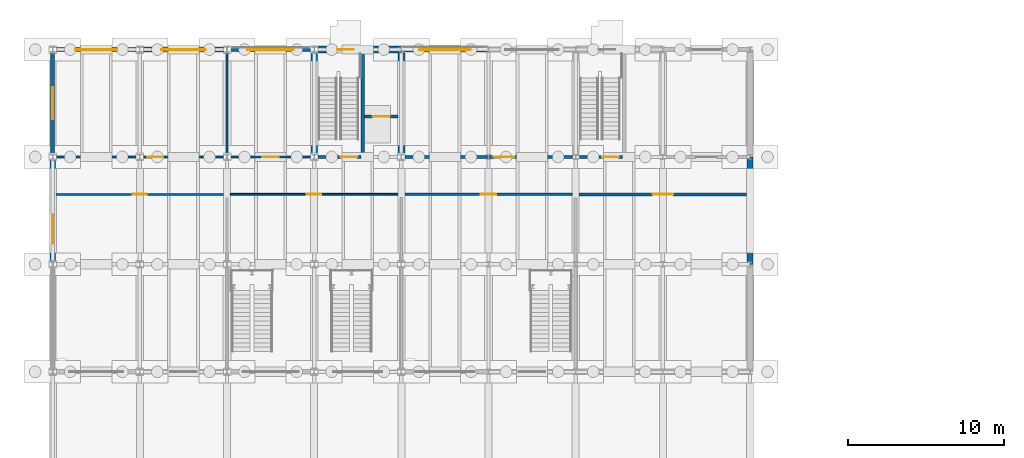
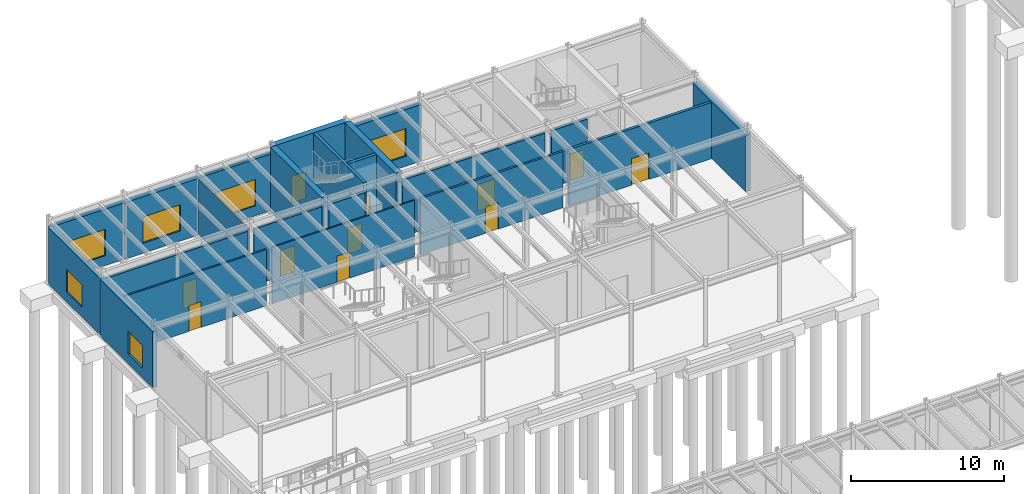
# One storey, part 71 of 82: 22 walls, 11 doors, 6 windows, 17 openings.
"""IFC4 building model written with IfcOpenShell, lengths in metres."""

import ifcopenshell
import ifcopenshell.guid

model = None  # the IFC model being written
_history = None  # IfcOwnerHistory: only IFC2X3 demands one
_inside = {}  # id of a spatial element -> (the spatial element, [elements in it])
_under = {}  # id of a project, library or spatial element -> (it, [spatial elements below it])
_declared = {}  # id of a project -> (the project, [libraries it declares])
_typed = {}  # id of a type object -> (the type object, [elements of that type])
_made_of = {}  # id of a material, layer set ... -> (it, [elements and type objects made of it])


def new_model(schema):
    """Start an empty IFC model of exactly this schema.

    Asked for "IFC4X3", IfcOpenShell would pick the latest addendum, in which some entities
    have other attributes; the version numbers below select the first issue.
    IFC2X3 requires an IfcOwnerHistory on every rooted entity: one is made here for all.
    """
    global model, _history
    if schema == "IFC4X3":
        model = ifcopenshell.file(schema_version=(4, 3, 0, 0))
    else:
        model = ifcopenshell.file(schema=schema)
    _inside.clear()
    _under.clear()
    _declared.clear()
    _typed.clear()
    _made_of.clear()
    _history = None
    if model.schema == "IFC2X3":
        org = make("IfcOrganization", Name="unknown")
        user = make(
            "IfcPersonAndOrganization",
            ThePerson=make("IfcPerson", FamilyName="unknown"),
            TheOrganization=org,
        )
        app = make(
            "IfcApplication",
            ApplicationDeveloper=org,
            Version="unknown",
            ApplicationFullName="unknown",
            ApplicationIdentifier="unknown",
        )
        _history = make(
            "IfcOwnerHistory",
            OwningUser=user,
            OwningApplication=app,
            ChangeAction="ADDED",
            CreationDate=0,
        )
    return model


def make(cls, **values):
    """One entity of the class cls with the attributes given. An attribute that is None is left unset."""
    return model.create_entity(
        cls, **{name: value for name, value in values.items() if value is not None}
    )


def rooted(cls, **values):
    """An entity with a GlobalId (a new one), such as an element, a storey or a relation."""
    return make(cls, GlobalId=ifcopenshell.guid.new(), OwnerHistory=_history, **values)


def si_unit(unit_type, name, prefix=None):
    """IfcSIUnit, for example si_unit("LENGTHUNIT", "METRE", prefix="MILLI")."""
    return make("IfcSIUnit", UnitType=unit_type, Prefix=prefix, Name=name)


def assignment(units):
    """IfcUnitAssignment: the units of a project."""
    return None if units is None else make("IfcUnitAssignment", Units=units)


def point(xyz):
    """IfcCartesianPoint."""
    return None if xyz is None else make("IfcCartesianPoint", Coordinates=xyz)


def direction(xyz):
    """IfcDirection."""
    return None if xyz is None else make("IfcDirection", DirectionRatios=xyz)


def frame(location, z_axis=None, x_axis=None):
    """IfcAxis2Placement3D, a coordinate frame: its origin and axes. An axis left out is left unset."""
    return make(
        "IfcAxis2Placement3D",
        Location=point(location),
        Axis=direction(z_axis),
        RefDirection=direction(x_axis),
    )


def frame_2d(location, x_axis=None):
    """IfcAxis2Placement2D, a coordinate frame in the plane: its origin and x axis."""
    return make(
        "IfcAxis2Placement2D", Location=point(location), RefDirection=direction(x_axis)
    )


def origin():
    """The frame at (0, 0, 0) with its axes left unset."""
    return frame((0.0, 0.0, 0.0))


def place(relative_to, where):
    """IfcLocalPlacement: puts the frame where relative to a parent placement (None: the world)."""
    return make(
        "IfcLocalPlacement", PlacementRelTo=relative_to, RelativePlacement=where
    )


def context(
    kind, dimensions, precision=None, world=None, true_north=None, identifier=None
):
    """IfcGeometricRepresentationContext, for example the 3D "Model" context."""
    return make(
        "IfcGeometricRepresentationContext",
        ContextIdentifier=identifier,
        ContextType=kind,
        CoordinateSpaceDimension=dimensions,
        Precision=precision,
        WorldCoordinateSystem=world,
        TrueNorth=true_north,
    )


def subcontext(parent, identifier, kind, view, scale=None):
    """IfcGeometricRepresentationSubContext, for example "Body" below "Model"."""
    return make(
        "IfcGeometricRepresentationSubContext",
        ContextIdentifier=identifier,
        ContextType=kind,
        ParentContext=parent,
        TargetScale=scale,
        TargetView=view,
    )


def project(units=None, contexts=None):
    """IfcProject with its units and contexts."""
    return rooted(
        "IfcProject",
        Name="project",
        RepresentationContexts=contexts,
        UnitsInContext=assignment(units),
    )


def spatial(cls, under=None, at=None, **own):
    """A site, building, storey or space (cls), placed at a placement, below another one or the project."""
    s = rooted(cls, ObjectPlacement=at, **own)
    if under is not None:
        _under.setdefault(under.id(), (under, []))[1].append(s)
    return s


def profile(cls, at=None, kind="AREA", **sizes):
    """A parametric profile (cls). Its sizes go by their IFC names, for example OverallWidth=200.0."""
    return make(cls, ProfileType=kind, Position=at, **sizes)


def rectangle(**sizes):
    """IfcRectangleProfileDef."""
    return profile("IfcRectangleProfileDef", **sizes)


def extrude(swept, where, along, depth):
    """IfcExtrudedAreaSolid: the profile swept, set in the frame where, extruded along a direction by depth."""
    return make(
        "IfcExtrudedAreaSolid",
        SweptArea=swept,
        Position=where,
        ExtrudedDirection=direction(along),
        Depth=depth,
    )


def shape(context_of_items, identifier, shape_type, items):
    """IfcShapeRepresentation: the items that make up one representation, for example the "Body"."""
    return make(
        "IfcShapeRepresentation",
        ContextOfItems=context_of_items,
        RepresentationIdentifier=identifier,
        RepresentationType=shape_type,
        Items=items,
    )


def material(Name=None, Category=None):
    """IfcMaterial."""
    return make("IfcMaterial", Name=Name, Category=Category)


def layer(
    of_material, thickness, ventilated=None, Name=None, Category=None, Priority=None
):
    """IfcMaterialLayer: one layer of a wall or slab, of a material (None: an air gap)."""
    return make(
        "IfcMaterialLayer",
        Material=of_material,
        LayerThickness=thickness,
        IsVentilated=ventilated,
        Name=Name,
        Category=Category,
        Priority=Priority,
    )


def layer_set(layers, Name=None):
    """IfcMaterialLayerSet."""
    return make("IfcMaterialLayerSet", MaterialLayers=layers, LayerSetName=Name)


def made_of(thing, what):
    """Note that an element or type object is made of a material, layer set ...; save() writes the relation."""
    if what is not None:
        _made_of.setdefault(what.id(), (what, []))[1].append(thing)
    return thing


def type_object(cls, material=None, **own):
    """A type object (cls), such as IfcWallType, which elements share."""
    return made_of(rooted(cls, **own), material)


def element(
    cls,
    number,
    at=None,
    inside=None,
    cuts=None,
    type_object=None,
    material=None,
    context=None,
    identifier="Body",
    shape_type=None,
    held_by="IfcProductDefinitionShape",
    body=None,
    shapes=None,
    **own,
):
    """One element of the class cls, such as IfcWall. Its Tag is "e" and its number.

    at: its placement. inside: the storey or other place that contains it. cuts: it is an
    opening in that element (IfcRelVoidsElement). A single representation is given by context,
    identifier, shape_type and body (its items); several are given by shapes. held_by: the class
    of the entity that holds the representations. save() writes the other relations.
    """
    e = rooted(cls, Tag="e%d" % number, ObjectPlacement=at, **own)
    if body is not None:
        shapes = [shape(context, identifier, shape_type, body)]
    if shapes is not None:
        e.Representation = make(held_by, Representations=shapes)
    if inside is not None:
        _inside.setdefault(inside.id(), (inside, []))[1].append(e)
    if cuts is not None:
        rooted(
            "IfcRelVoidsElement", RelatingBuildingElement=cuts, RelatedOpeningElement=e
        )
    if type_object is not None:
        _typed.setdefault(type_object.id(), (type_object, []))[1].append(e)
    return made_of(e, material)


def fill(opening, filler):
    """IfcRelFillsElement: the door or window that sits in an opening."""
    return rooted(
        "IfcRelFillsElement",
        RelatingOpeningElement=opening,
        RelatedBuildingElement=filler,
    )


def aggregate(whole, parts):
    """IfcRelAggregates: a whole, such as a stair, and the parts it consists of."""
    return rooted("IfcRelAggregates", RelatingObject=whole, RelatedObjects=parts)


def save(model, path):
    """Write the relations noted so far, then the file.

    IfcRelAggregates (storeys below a building ...), IfcRelContainedInSpatialStructure (elements
    in a storey), IfcRelDefinesByType, IfcRelAssociatesMaterial and IfcRelDeclares: one each for
    every whole, place, type object, material and project.
    """
    for whole, parts in _under.values():
        aggregate(whole, parts)
    for where, things in _inside.values():
        rooted(
            "IfcRelContainedInSpatialStructure",
            RelatedElements=things,
            RelatingStructure=where,
        )
    for kind, things in _typed.values():
        rooted("IfcRelDefinesByType", RelatedObjects=things, RelatingType=kind)
    for what, things in _made_of.values():
        rooted("IfcRelAssociatesMaterial", RelatedObjects=things, RelatingMaterial=what)
    for by, libraries in _declared.values():
        rooted("IfcRelDeclares", RelatingContext=by, RelatedDefinitions=libraries)
    model.write(path)


model = new_model("IFC4")

# Units and contexts
model_context = context("Model", 3, precision=1e-05, world=origin(), true_north=direction((0.0, 1.0)))
body_context = subcontext(model_context, "Body", "Model", "MODEL_VIEW")
ifc_project = project(units=[si_unit("LENGTHUNIT", "METRE"), si_unit("AREAUNIT", "SQUARE_METRE"), si_unit("VOLUMEUNIT", "CUBIC_METRE"), si_unit("PLANEANGLEUNIT", "RADIAN"), si_unit("MASSUNIT", "GRAM", prefix="KILO")], contexts=[model_context])

# Site, building, storey
site_placement = place(None, origin())
site = spatial("IfcSite", under=ifc_project, at=site_placement, CompositionType="ELEMENT")
building_placement = place(site_placement, origin())
building = spatial("IfcBuilding", under=site, at=building_placement, Name="Trelmorton Wharf Fire Station", CompositionType="ELEMENT")
storey_placement = place(building_placement, origin())
storey = spatial("IfcBuildingStorey", under=building, at=storey_placement, Name="L00", CompositionType="ELEMENT", Elevation=0.0)

# Wall, opening, window
ifc_material_1 = material(Name="Precast concrete 45 MPa", Category="concrete")
ifc_layer_1 = layer(ifc_material_1, 0.22998046875)
ifc_layer_set_1 = layer_set([ifc_layer_1], Name="Precast concrete 45 MPa")
wall_type_1 = type_object("IfcWallType", Name="EW_PREC_230", PredefinedType="SOLIDWALL", material=ifc_layer_set_1)
wall_1_placement = place(storey_placement, frame((12.0048828125, 81.0, 0.0), z_axis=(0.0, 0.0, 1.0), x_axis=(1.0, 0.0, 0.0)))
wall_1 = element("IfcWall", 1, at=wall_1_placement, inside=storey, type_object=wall_type_1, Name="EW-V6-L00-0126", PredefinedType="SOLIDWALL", context=body_context, shape_type="SweptSolid", body=[
    extrude(rectangle(XDim=5.590087890625, YDim=0.22998046875, at=frame_2d((2.794921875, 0.0))), origin(), (0.0, 0.0, 1.0), 4.52001953125),
])
opening_1_placement = place(wall_1_placement, frame((1.294921875, 0.0, 0.800048828125)))
opening_1 = element("IfcOpeningElement", 2, at=opening_1_placement, cuts=wall_1, Name="Opening W05", PredefinedType="OPENING", context=body_context, shape_type="SweptSolid", body=[
    extrude(rectangle(XDim=3.0, YDim=2.10009765625, at=frame_2d((1.5, 1.050048828125))), frame((0.0, 0.125, 0.0), z_axis=(0.0, -1.0, 0.0), x_axis=(1.0, 0.0, 0.0)), (0.0, 0.0, 1.0), 0.25),
])
ifc_material_2 = material(Name="Tempered low-E double glazing", Category="glass")
window_type_1 = type_object("IfcWindowType", Name="WIN_W05", PartitioningType="TRIPLE_PANEL_VERTICAL", PredefinedType="WINDOW", material=ifc_material_2)
window_1_placement = place(opening_1_placement, origin())
window_1 = element("IfcWindow", 3, at=window_1_placement, inside=storey, type_object=window_type_1, Name="WN-V6-L00-0067", OverallHeight=2.10009765625, OverallWidth=3.0, PartitioningType="TRIPLE_PANEL_VERTICAL", PredefinedType="WINDOW", context=body_context, shape_type="SweptSolid", body=[
    extrude(rectangle(XDim=3.0, YDim=2.10009765625, at=frame_2d((1.5, 1.050048828125))), frame((0.0, 0.030029296875, 0.0), z_axis=(0.0, -1.0, 0.0), x_axis=(1.0, 0.0, 0.0)), (0.0, 0.0, 1.0), 0.06005859375),
])
fill(opening_1, window_1)

ifc_layer_2 = layer(ifc_material_1, 0.25)
ifc_layer_set_2 = layer_set([ifc_layer_2], Name="Precast concrete 45 MPa")
wall_type_2 = type_object("IfcWallType", Name="EW_PREC_250", PredefinedType="SOLIDWALL", material=ifc_layer_set_2)
wall_2_placement = place(storey_placement, frame((0.800048828125, 74.10498046875, 0.0), z_axis=(0.0, 0.0, 1.0), x_axis=(0.0, 1.0, 0.0)))
wall_2 = element("IfcWall", 4, at=wall_2_placement, inside=storey, type_object=wall_type_2, Name="EW-V6-L00-0139", PredefinedType="SOLIDWALL", context=body_context, shape_type="SweptSolid", body=[
    extrude(rectangle(XDim=6.89013671875, YDim=0.25, at=frame_2d((3.445068359375, 0.0))), origin(), (0.0, 0.0, 1.0), 4.52001953125),
])
opening_2_placement = place(wall_2_placement, frame((2.419921875, 0.0, 0.800048828125)))
opening_2 = element("IfcOpeningElement", 5, at=opening_2_placement, cuts=wall_2, Name="Opening W11", PredefinedType="OPENING", context=body_context, shape_type="SweptSolid", body=[
    extrude(rectangle(XDim=2.050048828125, YDim=1.800048828125, at=frame_2d((1.02490234375, 0.89990234375))), frame((0.0, 0.135009765625, 0.0), z_axis=(0.0, -1.0, 0.0), x_axis=(1.0, 0.0, 0.0)), (0.0, 0.0, 1.0), 0.27001953125),
])
window_type_2 = type_object("IfcWindowType", Name="WIN_W11", PartitioningType="DOUBLE_PANEL_VERTICAL", PredefinedType="WINDOW", material=ifc_material_2)
window_2_placement = place(opening_2_placement, origin())
window_2 = element("IfcWindow", 6, at=window_2_placement, inside=storey, type_object=window_type_2, Name="WN-V6-L00-0073", OverallHeight=1.800048828125, OverallWidth=2.050048828125, PartitioningType="DOUBLE_PANEL_VERTICAL", PredefinedType="WINDOW", context=body_context, shape_type="SweptSolid", body=[
    extrude(rectangle(XDim=2.050048828125, YDim=1.800048828125, at=frame_2d((1.02490234375, 0.89990234375))), frame((0.0, 0.030029296875, 0.0), z_axis=(0.0, -1.0, 0.0), x_axis=(1.0, 0.0, 0.0)), (0.0, 0.0, 1.0), 0.06005859375),
])
fill(opening_2, window_2)

ifc_layer_3 = layer(ifc_material_1, 0.27001953125)
ifc_layer_set_3 = layer_set([ifc_layer_3], Name="Precast concrete 45 MPa")
wall_type_3 = type_object("IfcWallType", Name="EW_PREC_270", PredefinedType="SOLIDWALL", material=ifc_layer_set_3)
wall_3_placement = place(storey_placement, frame((0.804931640625, 81.0, 0.0), z_axis=(0.0, 0.0, 1.0), x_axis=(1.0, 0.0, 0.0)))
wall_3 = element("IfcWall", 7, at=wall_3_placement, inside=storey, type_object=wall_type_3, Name="EW-V6-L00-0122", PredefinedType="SOLIDWALL", context=body_context, shape_type="SweptSolid", body=[
    extrude(rectangle(XDim=5.590087890625, YDim=0.27001953125, at=frame_2d((2.794921875, 0.0))), origin(), (0.0, 0.0, 1.0), 4.52001953125),
])
opening_3_placement = place(wall_3_placement, frame((1.445068359375, 0.0, 0.800048828125)))
opening_3 = element("IfcOpeningElement", 8, at=opening_3_placement, cuts=wall_3, Name="Opening W03", PredefinedType="OPENING", context=body_context, shape_type="SweptSolid", body=[
    extrude(rectangle(XDim=2.699951171875, YDim=2.10009765625, at=frame_2d((1.35009765625, 1.050048828125))), frame((0.0, 0.14501953125, 0.0), z_axis=(0.0, -1.0, 0.0), x_axis=(1.0, 0.0, 0.0)), (0.0, 0.0, 1.0), 0.2900390625),
])
window_type_3 = type_object("IfcWindowType", Name="WIN_W03", PartitioningType="TRIPLE_PANEL_VERTICAL", PredefinedType="WINDOW", material=ifc_material_2)
window_3_placement = place(opening_3_placement, origin())
window_3 = element("IfcWindow", 9, at=window_3_placement, inside=storey, type_object=window_type_3, Name="WN-V6-L00-0065", OverallHeight=2.10009765625, OverallWidth=2.699951171875, PartitioningType="TRIPLE_PANEL_VERTICAL", PredefinedType="WINDOW", context=body_context, shape_type="SweptSolid", body=[
    extrude(rectangle(XDim=2.699951171875, YDim=2.10009765625, at=frame_2d((1.35009765625, 1.050048828125))), frame((0.0, 0.030029296875, 0.0), z_axis=(0.0, -1.0, 0.0), x_axis=(1.0, 0.0, 0.0)), (0.0, 0.0, 1.0), 0.06005859375),
])
fill(opening_3, window_3)

# Wall
ifc_material_3 = material(Name="Clay brickwork masonry", Category="masonry")
ifc_layer_4 = layer(ifc_material_3, 0.3798828125)
ifc_layer_set_4 = layer_set([ifc_layer_4], Name="Clay brickwork masonry")
wall_type_4 = type_object("IfcWallType", Name="EW_SMOK_380", PredefinedType="SOLIDWALL", material=ifc_layer_set_4)
wall_4_placement = place(storey_placement, frame((45.60009765625, 74.094970703125, 0.0), z_axis=(0.0, 0.0, 1.0), x_axis=(0.0, -1.0, 0.0)))
element("IfcWall", 10, at=wall_4_placement, inside=storey, type_object=wall_type_4, Name="EW-V6-L00-0138", PredefinedType="SOLIDWALL", context=body_context, shape_type="SweptSolid", body=[
    extrude(rectangle(XDim=6.889892578125, YDim=0.3798828125, at=frame_2d((3.44482421875, 0.0))), origin(), (0.0, 0.0, 1.0), 4.52001953125),
])

# Wall, opening, window
ifc_layer_5 = layer(ifc_material_1, 0.2900390625)
ifc_layer_set_5 = layer_set([ifc_layer_5], Name="Precast concrete 45 MPa")
wall_type_5 = type_object("IfcWallType", Name="EW_TERR_290", PredefinedType="SOLIDWALL", material=ifc_layer_set_5)
wall_5_placement = place(storey_placement, frame((23.205078125, 81.0, 0.0), z_axis=(0.0, 0.0, 1.0), x_axis=(1.0, 0.0, 0.0)))
wall_5 = element("IfcWall", 11, at=wall_5_placement, inside=storey, type_object=wall_type_5, Name="EW-V6-L00-0129", PredefinedType="SOLIDWALL", context=body_context, shape_type="SweptSolid", body=[
    extrude(rectangle(XDim=5.58984375, YDim=0.2900390625, at=frame_2d((2.794921875, 0.0))), origin(), (0.0, 0.0, 1.0), 4.52001953125),
])
opening_4_placement = place(wall_5_placement, frame((1.14501953125, 0.0, 0.800048828125)))
opening_4 = element("IfcOpeningElement", 12, at=opening_4_placement, cuts=wall_5, Name="Opening W07", PredefinedType="OPENING", context=body_context, shape_type="SweptSolid", body=[
    extrude(rectangle(XDim=3.300048828125, YDim=2.199951171875, at=frame_2d((1.64990234375, 1.10009765625))), frame((0.0, 0.155029296875, 0.0), z_axis=(0.0, -1.0, 0.0), x_axis=(1.0, 0.0, 0.0)), (0.0, 0.0, 1.0), 0.31005859375),
])
window_type_4 = type_object("IfcWindowType", Name="WIN_W07", PartitioningType="TRIPLE_PANEL_VERTICAL", PredefinedType="WINDOW", material=ifc_material_2)
window_4_placement = place(opening_4_placement, origin())
window_4 = element("IfcWindow", 13, at=window_4_placement, inside=storey, type_object=window_type_4, Name="WN-V6-L00-0069", OverallHeight=2.199951171875, OverallWidth=3.300048828125, PartitioningType="TRIPLE_PANEL_VERTICAL", PredefinedType="WINDOW", context=body_context, shape_type="SweptSolid", body=[
    extrude(rectangle(XDim=3.300048828125, YDim=2.199951171875, at=frame_2d((1.64990234375, 1.10009765625))), frame((0.0, 0.030029296875, 0.0), z_axis=(0.0, -1.0, 0.0), x_axis=(1.0, 0.0, 0.0)), (0.0, 0.0, 1.0), 0.06005859375),
])
fill(opening_4, window_4)

ifc_layer_6 = layer(ifc_material_1, 0.31005859375)
ifc_layer_set_6 = layer_set([ifc_layer_6], Name="Precast concrete 45 MPa")
wall_type_6 = type_object("IfcWallType", Name="EW_TERR_310", PredefinedType="SOLIDWALL", material=ifc_layer_set_6)
wall_6_placement = place(storey_placement, frame((6.405029296875, 81.0, 0.0), z_axis=(0.0, 0.0, 1.0), x_axis=(1.0, 0.0, 0.0)))
wall_6 = element("IfcWall", 14, at=wall_6_placement, inside=storey, type_object=wall_type_6, Name="EW-V6-L00-0124", PredefinedType="SOLIDWALL", context=body_context, shape_type="SweptSolid", body=[
    extrude(rectangle(XDim=5.590087890625, YDim=0.31005859375, at=frame_2d((2.794921875, 0.0))), origin(), (0.0, 0.0, 1.0), 4.52001953125),
])
opening_5_placement = place(wall_6_placement, frame((1.3701171875, 0.0, 0.800048828125)))
opening_5 = element("IfcOpeningElement", 15, at=opening_5_placement, cuts=wall_6, Name="Opening W04", PredefinedType="OPENING", context=body_context, shape_type="SweptSolid", body=[
    extrude(rectangle(XDim=2.85009765625, YDim=2.10009765625, at=frame_2d((1.425048828125, 1.050048828125))), frame((0.0, 0.1650390625, 0.0), z_axis=(0.0, -1.0, 0.0), x_axis=(1.0, 0.0, 0.0)), (0.0, 0.0, 1.0), 0.330078125),
])
window_type_5 = type_object("IfcWindowType", Name="WIN_W04", PartitioningType="TRIPLE_PANEL_VERTICAL", PredefinedType="WINDOW", material=ifc_material_2)
window_5_placement = place(opening_5_placement, origin())
window_5 = element("IfcWindow", 16, at=window_5_placement, inside=storey, type_object=window_type_5, Name="WN-V6-L00-0066", OverallHeight=2.10009765625, OverallWidth=2.85009765625, PartitioningType="TRIPLE_PANEL_VERTICAL", PredefinedType="WINDOW", context=body_context, shape_type="SweptSolid", body=[
    extrude(rectangle(XDim=2.85009765625, YDim=2.10009765625, at=frame_2d((1.425048828125, 1.050048828125))), frame((0.0, 0.030029296875, 0.0), z_axis=(0.0, -1.0, 0.0), x_axis=(1.0, 0.0, 0.0)), (0.0, 0.0, 1.0), 0.06005859375),
])
fill(opening_5, window_5)

ifc_layer_7 = layer(ifc_material_1, 0.330078125)
ifc_layer_set_7 = layer_set([ifc_layer_7], Name="Precast concrete 45 MPa")
wall_type_7 = type_object("IfcWallType", Name="EW_TERR_330", PredefinedType="SOLIDWALL", material=ifc_layer_set_7)
wall_7_placement = place(storey_placement, frame((0.800048828125, 67.205078125, 0.0), z_axis=(0.0, 0.0, 1.0), x_axis=(0.0, 1.0, 0.0)))
wall_7 = element("IfcWall", 17, at=wall_7_placement, inside=storey, type_object=wall_type_7, Name="EW-V6-L00-0137", PredefinedType="SOLIDWALL", context=body_context, shape_type="SweptSolid", body=[
    extrude(rectangle(XDim=6.889892578125, YDim=0.330078125, at=frame_2d((3.44482421875, 0.0))), origin(), (0.0, 0.0, 1.0), 4.52001953125),
])
opening_6_placement = place(wall_7_placement, frame((1.3125, 0.0, 0.800048828125)))
opening_6 = element("IfcOpeningElement", 18, at=opening_6_placement, cuts=wall_7, Name="Opening W10", PredefinedType="OPENING", context=body_context, shape_type="SweptSolid", body=[
    extrude(rectangle(XDim=1.89990234375, YDim=1.800048828125, at=frame_2d((0.949951171875, 0.89990234375))), frame((0.0, 0.175048828125, 0.0), z_axis=(0.0, -1.0, 0.0), x_axis=(1.0, 0.0, 0.0)), (0.0, 0.0, 1.0), 0.35009765625),
])
window_type_6 = type_object("IfcWindowType", Name="WIN_W10", PartitioningType="DOUBLE_PANEL_VERTICAL", PredefinedType="WINDOW", material=ifc_material_2)
window_6_placement = place(opening_6_placement, origin())
window_6 = element("IfcWindow", 19, at=window_6_placement, inside=storey, type_object=window_type_6, Name="WN-V6-L00-0072", OverallHeight=1.800048828125, OverallWidth=1.89990234375, PartitioningType="DOUBLE_PANEL_VERTICAL", PredefinedType="WINDOW", context=body_context, shape_type="SweptSolid", body=[
    extrude(rectangle(XDim=1.89990234375, YDim=1.800048828125, at=frame_2d((0.949951171875, 0.89990234375))), frame((0.0, 0.030029296875, 0.0), z_axis=(0.0, -1.0, 0.0), x_axis=(1.0, 0.0, 0.0)), (0.0, 0.0, 1.0), 0.06005859375),
])
fill(opening_6, window_6)

# Wall, opening, door
ifc_material_4 = material(Name="Gypsum plasterboard partition")
ifc_layer_8 = layer(ifc_material_4, 0.159912109375)
ifc_layer_set_8 = layer_set([ifc_layer_8], Name="Gypsum plasterboard partition")
wall_type_8 = type_object("IfcWallType", Name="IW_ACOU_160", PredefinedType="PARTITIONING", material=ifc_layer_set_8)
wall_8_placement = place(storey_placement, frame((23.419921875, 71.699951171875, 0.0), z_axis=(0.0, 0.0, 1.0), x_axis=(1.0, 0.0, 0.0)))
wall_8 = element("IfcWall", 20, at=wall_8_placement, inside=storey, type_object=wall_type_8, Name="IW-L00-0036", PredefinedType="PARTITIONING", context=body_context, shape_type="SweptSolid", body=[
    extrude(rectangle(XDim=10.760009765625, YDim=0.159912109375, at=frame_2d((5.3798828125, 0.0))), origin(), (0.0, 0.0, 1.0), 4.5),
])
opening_7_placement = place(wall_8_placement, frame((4.89501953125, 0.0, 0.0)))
opening_7 = element("IfcOpeningElement", 21, at=opening_7_placement, cuts=wall_8, Name="Opening D-024", PredefinedType="OPENING", context=body_context, shape_type="SweptSolid", body=[
    extrude(rectangle(XDim=0.969970703125, YDim=2.10009765625, at=frame_2d((0.48486328125, 1.050048828125))), frame((0.0, 0.08984375, 0.0), z_axis=(0.0, -1.0, 0.0), x_axis=(1.0, 0.0, 0.0)), (0.0, 0.0, 1.0), 0.179931640625),
])
ifc_material_5 = material(Name="Acoustic timber panelling", Category="wood")
door_type_1 = type_object("IfcDoorType", Name="DR_INT_097", OperationType="NOTDEFINED", PredefinedType="DOOR", material=ifc_material_5)
door_1_placement = place(opening_7_placement, origin())
door_1 = element("IfcDoor", 22, at=door_1_placement, inside=storey, type_object=door_type_1, Name="Interior Door D-024", OperationType="SINGLE_SWING_LEFT", OverallHeight=2.10009765625, OverallWidth=0.969970703125, PredefinedType="DOOR", context=body_context, shape_type="SweptSolid", body=[
    extrude(rectangle(XDim=0.969970703125, YDim=2.10009765625, at=frame_2d((0.48486328125, 1.050048828125))), frame((0.0, 0.02490234375, 0.0), z_axis=(0.0, -1.0, 0.0), x_axis=(1.0, 0.0, 0.0)), (0.0, 0.0, 1.0), 0.050048828125),
])
fill(opening_7, door_1)

# Wall
ifc_material_6 = material(Name="Concrete 40 MPa", Category="concrete")
ifc_layer_9 = layer(ifc_material_6, 0.219970703125)
ifc_layer_set_9 = layer_set([ifc_layer_9], Name="Concrete 40 MPa")
wall_type_9 = type_object("IfcWallType", Name="IW_CORE_220", PredefinedType="SOLIDWALL", material=ifc_layer_set_9)
wall_9_placement = place(storey_placement, frame((20.719970703125, 74.219970703125, 0.0), z_axis=(0.0, 0.0, 1.0), x_axis=(0.0, 1.0, 0.0)))
element("IfcWall", 23, at=wall_9_placement, inside=storey, type_object=wall_type_9, Name="IW-C5-DIV-L00", PredefinedType="SOLIDWALL", context=body_context, shape_type="SweptSolid", body=[
    extrude(rectangle(XDim=6.554931640625, YDim=0.219970703125, at=frame_2d((3.27734375, 0.0))), origin(), (0.0, 0.0, 1.0), 5.159912109375),
])

# Wall, opening, door
wall_10_placement = place(storey_placement, frame((17.860107421875, 74.10009765625, 0.0), z_axis=(0.0, 0.0, 1.0), x_axis=(1.0, 0.0, 0.0)))
wall_10 = element("IfcWall", 24, at=wall_10_placement, inside=storey, type_object=wall_type_9, Name="IW-C5-SF-L00", PredefinedType="SOLIDWALL", context=body_context, shape_type="SweptSolid", body=[
    extrude(rectangle(XDim=2.739990234375, YDim=0.219970703125, at=frame_2d((1.3701171875, 0.0))), origin(), (0.0, 0.0, 1.0), 4.52001953125),
])
opening_8_placement = place(wall_10_placement, frame((1.43994140625, 0.0, 0.0)))
opening_8 = element("IfcOpeningElement", 25, at=opening_8_placement, cuts=wall_10, Name="Opening FD-023", PredefinedType="OPENING", context=body_context, shape_type="SweptSolid", body=[
    extrude(rectangle(XDim=1.06005859375, YDim=2.10009765625, at=frame_2d((0.530029296875, 1.050048828125))), frame((0.0, 0.1201171875, 0.0), z_axis=(0.0, -1.0, 0.0), x_axis=(1.0, 0.0, 0.0)), (0.0, 0.0, 1.0), 0.239990234375),
])
ifc_material_7 = material(Name="Stainless steel 316 marine grade", Category="steel")
door_type_2 = type_object("IfcDoorType", Name="DR_FIRE_106", OperationType="NOTDEFINED", PredefinedType="DOOR", material=ifc_material_7)
door_2_placement = place(opening_8_placement, origin())
door_2 = element("IfcDoor", 26, at=door_2_placement, inside=storey, type_object=door_type_2, Name="Stair Fire Door FD-023", OperationType="SINGLE_SWING_LEFT", OverallHeight=2.10009765625, OverallWidth=1.06005859375, PredefinedType="DOOR", context=body_context, shape_type="SweptSolid", body=[
    extrude(rectangle(XDim=1.06005859375, YDim=2.10009765625, at=frame_2d((0.530029296875, 1.050048828125))), frame((0.0, 0.02490234375, 0.0), z_axis=(0.0, -1.0, 0.0), x_axis=(1.0, 0.0, 0.0)), (0.0, 0.0, 1.0), 0.050048828125),
])
fill(opening_8, door_2)

wall_11_placement = place(storey_placement, frame((20.840087890625, 76.699951171875, 0.0), z_axis=(0.0, 0.0, 1.0), x_axis=(1.0, 0.0, 0.0)))
wall_11 = element("IfcWall", 27, at=wall_11_placement, inside=storey, type_object=wall_type_9, Name="IW-C5-LSH-L00", PredefinedType="SOLIDWALL", context=body_context, shape_type="SweptSolid", body=[
    extrude(rectangle(XDim=2.135009765625, YDim=0.219970703125, at=frame_2d((1.0673828125, 0.0))), origin(), (0.0, 0.0, 1.0), 5.159912109375),
])
opening_9_placement = place(wall_11_placement, frame((0.517578125, 0.0, 0.0)))
opening_9 = element("IfcOpeningElement", 28, at=opening_9_placement, cuts=wall_11, Name="Opening LD-023", PredefinedType="OPENING", context=body_context, shape_type="SweptSolid", body=[
    extrude(rectangle(XDim=1.10009765625, YDim=2.10009765625, at=frame_2d((0.550048828125, 1.050048828125))), frame((0.0, 0.1201171875, 0.0), z_axis=(0.0, -1.0, 0.0), x_axis=(1.0, 0.0, 0.0)), (0.0, 0.0, 1.0), 0.239990234375),
])
door_type_3 = type_object("IfcDoorType", Name="DR_LIFT_110", OperationType="DOUBLE_DOOR_SLIDING", PredefinedType="DOOR", material=ifc_material_7)
door_3_placement = place(opening_9_placement, origin())
door_3 = element("IfcDoor", 29, at=door_3_placement, inside=storey, type_object=door_type_3, Name="Lift Landing Door LD-023", OperationType="DOUBLE_DOOR_SLIDING", OverallHeight=2.10009765625, OverallWidth=1.10009765625, PredefinedType="DOOR", context=body_context, shape_type="SweptSolid", body=[
    extrude(rectangle(XDim=1.10009765625, YDim=2.10009765625, at=frame_2d((0.550048828125, 1.050048828125))), frame((0.0, 0.02490234375, 0.0), z_axis=(0.0, -1.0, 0.0), x_axis=(1.0, 0.0, 0.0)), (0.0, 0.0, 1.0), 0.050048828125),
])
fill(opening_9, door_3)

wall_12_placement = place(storey_placement, frame((34.659912109375, 74.10009765625, 0.0), z_axis=(0.0, 0.0, 1.0), x_axis=(1.0, 0.0, 0.0)))
wall_12 = element("IfcWall", 30, at=wall_12_placement, inside=storey, type_object=wall_type_9, Name="IW-C5B-SF-L00", PredefinedType="SOLIDWALL", context=body_context, shape_type="SweptSolid", body=[
    extrude(rectangle(XDim=2.739990234375, YDim=0.219970703125, at=frame_2d((1.3701171875, 0.0))), origin(), (0.0, 0.0, 1.0), 4.52001953125),
])
opening_10_placement = place(wall_12_placement, frame((1.43994140625, 0.0, 0.0)))
opening_10 = element("IfcOpeningElement", 31, at=opening_10_placement, cuts=wall_12, Name="Opening FD-026", PredefinedType="OPENING", context=body_context, shape_type="SweptSolid", body=[
    extrude(rectangle(XDim=1.06005859375, YDim=2.10009765625, at=frame_2d((0.530029296875, 1.050048828125))), frame((0.0, 0.1201171875, 0.0), z_axis=(0.0, -1.0, 0.0), x_axis=(1.0, 0.0, 0.0)), (0.0, 0.0, 1.0), 0.239990234375),
])
door_4_placement = place(opening_10_placement, origin())
door_4 = element("IfcDoor", 32, at=door_4_placement, inside=storey, type_object=door_type_2, Name="Stair Fire Door FD-026", OperationType="SINGLE_SWING_LEFT", OverallHeight=2.10009765625, OverallWidth=1.06005859375, PredefinedType="DOOR", context=body_context, shape_type="SweptSolid", body=[
    extrude(rectangle(XDim=1.06005859375, YDim=2.10009765625, at=frame_2d((0.530029296875, 1.050048828125))), frame((0.0, 0.02490234375, 0.0), z_axis=(0.0, -1.0, 0.0), x_axis=(1.0, 0.0, 0.0)), (0.0, 0.0, 1.0), 0.050048828125),
])
fill(opening_10, door_4)

ifc_layer_10 = layer(ifc_material_1, 0.169921875)
ifc_layer_set_10 = layer_set([ifc_layer_10], Name="Precast concrete 45 MPa")
wall_type_10 = type_object("IfcWallType", Name="IW_FIRE_170", PredefinedType="PARTITIONING", material=ifc_layer_set_10)
wall_13_placement = place(storey_placement, frame((23.419921875, 74.10009765625, 0.0), z_axis=(0.0, 0.0, 1.0), x_axis=(1.0, 0.0, 0.0)))
wall_13 = element("IfcWall", 33, at=wall_13_placement, inside=storey, type_object=wall_type_10, Name="IW-L00-0040", PredefinedType="PARTITIONING", context=body_context, shape_type="SweptSolid", body=[
    extrude(rectangle(XDim=10.760009765625, YDim=0.169921875, at=frame_2d((5.3798828125, 0.0))), origin(), (0.0, 0.0, 1.0), 4.5),
])
opening_11_placement = place(wall_13_placement, frame((5.719970703125, 0.0, 0.0)))
opening_11 = element("IfcOpeningElement", 34, at=opening_11_placement, cuts=wall_13, Name="Opening D-028", PredefinedType="OPENING", context=body_context, shape_type="SweptSolid", body=[
    extrude(rectangle(XDim=1.320068359375, YDim=2.1201171875, at=frame_2d((0.66015625, 1.06005859375))), frame((0.0, 0.094970703125, 0.0), z_axis=(0.0, -1.0, 0.0), x_axis=(1.0, 0.0, 0.0)), (0.0, 0.0, 1.0), 0.18994140625),
])
door_type_4 = type_object("IfcDoorType", Name="DR_FIRE_132", OperationType="NOTDEFINED", PredefinedType="DOOR", material=ifc_material_7)
door_5_placement = place(opening_11_placement, origin())
door_5 = element("IfcDoor", 35, at=door_5_placement, inside=storey, type_object=door_type_4, Name="Interior Door D-028", OperationType="SINGLE_SWING_LEFT", OverallHeight=2.1201171875, OverallWidth=1.320068359375, PredefinedType="DOOR", context=body_context, shape_type="SweptSolid", body=[
    extrude(rectangle(XDim=1.320068359375, YDim=2.1201171875, at=frame_2d((0.66015625, 1.06005859375))), frame((0.0, 0.02490234375, 0.0), z_axis=(0.0, -1.0, 0.0), x_axis=(1.0, 0.0, 0.0)), (0.0, 0.0, 1.0), 0.050048828125),
])
fill(opening_11, door_5)

ifc_layer_11 = layer(ifc_material_1, 0.199951171875)
ifc_layer_set_11 = layer_set([ifc_layer_11], Name="Precast concrete 45 MPa")
wall_type_11 = type_object("IfcWallType", Name="IW_FIRE_200", PredefinedType="PARTITIONING", material=ifc_layer_set_11)
wall_14_placement = place(storey_placement, frame((34.6201171875, 71.699951171875, 0.0), z_axis=(0.0, 0.0, 1.0), x_axis=(1.0, 0.0, 0.0)))
wall_14 = element("IfcWall", 36, at=wall_14_placement, inside=storey, type_object=wall_type_11, Name="IW-L00-0037", PredefinedType="PARTITIONING", context=body_context, shape_type="SweptSolid", body=[
    extrude(rectangle(XDim=10.759765625, YDim=0.199951171875, at=frame_2d((5.3798828125, 0.0))), origin(), (0.0, 0.0, 1.0), 4.5),
])
opening_12_placement = place(wall_14_placement, frame((4.719970703125, 0.0, 0.0)))
opening_12 = element("IfcOpeningElement", 37, at=opening_12_placement, cuts=wall_14, Name="Opening D-025", PredefinedType="OPENING", context=body_context, shape_type="SweptSolid", body=[
    extrude(rectangle(XDim=1.320068359375, YDim=2.1201171875, at=frame_2d((0.66015625, 1.06005859375))), frame((0.0, 0.10986328125, 0.0), z_axis=(0.0, -1.0, 0.0), x_axis=(1.0, 0.0, 0.0)), (0.0, 0.0, 1.0), 0.219970703125),
])
door_6_placement = place(opening_12_placement, origin())
door_6 = element("IfcDoor", 38, at=door_6_placement, inside=storey, type_object=door_type_4, Name="Interior Door D-025", OperationType="SINGLE_SWING_RIGHT", OverallHeight=2.1201171875, OverallWidth=1.320068359375, PredefinedType="DOOR", context=body_context, shape_type="SweptSolid", body=[
    extrude(rectangle(XDim=1.320068359375, YDim=2.1201171875, at=frame_2d((0.66015625, 1.06005859375))), frame((0.0, 0.02490234375, 0.0), z_axis=(0.0, -1.0, 0.0), x_axis=(1.0, 0.0, 0.0)), (0.0, 0.0, 1.0), 0.050048828125),
])
fill(opening_12, door_6)

# Wall
ifc_layer_12 = layer(ifc_material_4, 0.10009765625)
ifc_layer_set_12 = layer_set([ifc_layer_12], Name="Gypsum plasterboard partition")
wall_type_12 = type_object("IfcWallType", Name="IW_PART_100", PredefinedType="PARTITIONING", material=ifc_layer_set_12)
wall_15_placement = place(storey_placement, frame((12.0, 74.320068359375, 0.0), z_axis=(0.0, 0.0, 1.0), x_axis=(0.0, 1.0, 0.0)))
element("IfcWall", 39, at=wall_15_placement, inside=storey, type_object=wall_type_12, Name="IW-L00-0042", PredefinedType="PARTITIONING", context=body_context, shape_type="SweptSolid", body=[
    extrude(rectangle(XDim=6.4599609375, YDim=0.10009765625, at=frame_2d((3.22998046875, 0.0))), origin(), (0.0, 0.0, 1.0), 4.5),
])

# Wall, opening, door
ifc_layer_13 = layer(ifc_material_4, 0.110107421875)
ifc_layer_set_13 = layer_set([ifc_layer_13], Name="Gypsum plasterboard partition")
wall_type_13 = type_object("IfcWallType", Name="IW_PART_110", PredefinedType="PARTITIONING", material=ifc_layer_set_13)
wall_16_placement = place(storey_placement, frame((12.219970703125, 71.699951171875, 0.0), z_axis=(0.0, 0.0, 1.0), x_axis=(1.0, 0.0, 0.0)))
wall_16 = element("IfcWall", 40, at=wall_16_placement, inside=storey, type_object=wall_type_13, Name="IW-L00-0034", PredefinedType="PARTITIONING", context=body_context, shape_type="SweptSolid", body=[
    extrude(rectangle(XDim=10.760009765625, YDim=0.110107421875, at=frame_2d((5.3798828125, 0.0))), origin(), (0.0, 0.0, 1.0), 4.5),
])
opening_13_placement = place(wall_16_placement, frame((4.909912109375, 0.0, 0.0)))
opening_13 = element("IfcOpeningElement", 41, at=opening_13_placement, cuts=wall_16, Name="Opening D-023", PredefinedType="OPENING", context=body_context, shape_type="SweptSolid", body=[
    extrude(rectangle(XDim=0.93994140625, YDim=2.080078125, at=frame_2d((0.469970703125, 1.0400390625))), frame((0.0, 0.06494140625, 0.0), z_axis=(0.0, -1.0, 0.0), x_axis=(1.0, 0.0, 0.0)), (0.0, 0.0, 1.0), 0.130126953125),
])
door_type_5 = type_object("IfcDoorType", Name="DR_INT_094", OperationType="NOTDEFINED", PredefinedType="DOOR", material=ifc_material_5)
door_7_placement = place(opening_13_placement, origin())
door_7 = element("IfcDoor", 42, at=door_7_placement, inside=storey, type_object=door_type_5, Name="Interior Door D-023", OperationType="SINGLE_SWING_RIGHT", OverallHeight=2.080078125, OverallWidth=0.93994140625, PredefinedType="DOOR", context=body_context, shape_type="SweptSolid", body=[
    extrude(rectangle(XDim=0.93994140625, YDim=2.080078125, at=frame_2d((0.469970703125, 1.0400390625))), frame((0.0, 0.02490234375, 0.0), z_axis=(0.0, -1.0, 0.0), x_axis=(1.0, 0.0, 0.0)), (0.0, 0.0, 1.0), 0.050048828125),
])
fill(opening_13, door_7)

ifc_layer_14 = layer(ifc_material_4, 0.1298828125)
ifc_layer_set_14 = layer_set([ifc_layer_14], Name="Gypsum plasterboard partition")
wall_type_14 = type_object("IfcWallType", Name="IW_PART_130", PredefinedType="PARTITIONING", material=ifc_layer_set_14)
wall_17_placement = place(storey_placement, frame((1.02001953125, 71.699951171875, 0.0), z_axis=(0.0, 0.0, 1.0), x_axis=(1.0, 0.0, 0.0)))
wall_17 = element("IfcWall", 43, at=wall_17_placement, inside=storey, type_object=wall_type_14, Name="IW-L00-0032", PredefinedType="PARTITIONING", context=body_context, shape_type="SweptSolid", body=[
    extrude(rectangle(XDim=10.760009765625, YDim=0.1298828125, at=frame_2d((5.3798828125, 0.0))), origin(), (0.0, 0.0, 1.0), 4.5),
])
opening_14_placement = place(wall_17_placement, frame((4.925048828125, 0.0, 0.0)))
opening_14 = element("IfcOpeningElement", 44, at=opening_14_placement, cuts=wall_17, Name="Opening D-022", PredefinedType="OPENING", context=body_context, shape_type="SweptSolid", body=[
    extrude(rectangle(XDim=0.909912109375, YDim=2.06005859375, at=frame_2d((0.455078125, 1.030029296875))), frame((0.0, 0.074951171875, 0.0), z_axis=(0.0, -1.0, 0.0), x_axis=(1.0, 0.0, 0.0)), (0.0, 0.0, 1.0), 0.14990234375),
])
door_type_6 = type_object("IfcDoorType", Name="DR_INT_091", OperationType="NOTDEFINED", PredefinedType="DOOR", material=ifc_material_5)
door_8_placement = place(opening_14_placement, origin())
door_8 = element("IfcDoor", 45, at=door_8_placement, inside=storey, type_object=door_type_6, Name="Interior Door D-022", OperationType="SINGLE_SWING_LEFT", OverallHeight=2.06005859375, OverallWidth=0.909912109375, PredefinedType="DOOR", context=body_context, shape_type="SweptSolid", body=[
    extrude(rectangle(XDim=0.909912109375, YDim=2.06005859375, at=frame_2d((0.455078125, 1.030029296875))), frame((0.0, 0.02490234375, 0.0), z_axis=(0.0, -1.0, 0.0), x_axis=(1.0, 0.0, 0.0)), (0.0, 0.0, 1.0), 0.050048828125),
])
fill(opening_14, door_8)

wall_18_placement = place(storey_placement, frame((12.219970703125, 74.10009765625, 0.0), z_axis=(0.0, 0.0, 1.0), x_axis=(1.0, 0.0, 0.0)))
wall_18 = element("IfcWall", 46, at=wall_18_placement, inside=storey, type_object=wall_type_14, Name="IW-L00-0039", PredefinedType="PARTITIONING", context=body_context, shape_type="SweptSolid", body=[
    extrude(rectangle(XDim=5.159912109375, YDim=0.1298828125, at=frame_2d((2.580078125, 0.0))), origin(), (0.0, 0.0, 1.0), 4.5),
])
opening_15_placement = place(wall_18_placement, frame((2.044921875, 0.0, 0.0)))
opening_15 = element("IfcOpeningElement", 47, at=opening_15_placement, cuts=wall_18, Name="Opening D-027", PredefinedType="OPENING", context=body_context, shape_type="SweptSolid", body=[
    extrude(rectangle(XDim=1.070068359375, YDim=2.080078125, at=frame_2d((0.53515625, 1.0400390625))), frame((0.0, 0.074951171875, 0.0), z_axis=(0.0, -1.0, 0.0), x_axis=(1.0, 0.0, 0.0)), (0.0, 0.0, 1.0), 0.14990234375),
])
door_type_7 = type_object("IfcDoorType", Name="DR_INT_107", OperationType="NOTDEFINED", PredefinedType="DOOR", material=ifc_material_5)
door_9_placement = place(opening_15_placement, origin())
door_9 = element("IfcDoor", 48, at=door_9_placement, inside=storey, type_object=door_type_7, Name="Interior Door D-027", OperationType="SINGLE_SWING_RIGHT", OverallHeight=2.080078125, OverallWidth=1.070068359375, PredefinedType="DOOR", context=body_context, shape_type="SweptSolid", body=[
    extrude(rectangle(XDim=1.070068359375, YDim=2.080078125, at=frame_2d((0.53515625, 1.0400390625))), frame((0.0, 0.02490234375, 0.0), z_axis=(0.0, -1.0, 0.0), x_axis=(1.0, 0.0, 0.0)), (0.0, 0.0, 1.0), 0.050048828125),
])
fill(opening_15, door_9)

ifc_layer_15 = layer(ifc_material_4, 0.139892578125)
ifc_layer_set_15 = layer_set([ifc_layer_15], Name="Gypsum plasterboard partition")
wall_type_15 = type_object("IfcWallType", Name="IW_PART_140", PredefinedType="PARTITIONING", material=ifc_layer_set_15)
wall_19_placement = place(storey_placement, frame((1.02001953125, 74.10009765625, 0.0), z_axis=(0.0, 0.0, 1.0), x_axis=(1.0, 0.0, 0.0)))
wall_19 = element("IfcWall", 49, at=wall_19_placement, inside=storey, type_object=wall_type_15, Name="IW-L00-0038", PredefinedType="PARTITIONING", context=body_context, shape_type="SweptSolid", body=[
    extrude(rectangle(XDim=10.760009765625, YDim=0.139892578125, at=frame_2d((5.3798828125, 0.0))), origin(), (0.0, 0.0, 1.0), 4.5),
])
opening_16_placement = place(wall_19_placement, frame((5.864990234375, 0.0, 0.0)))
opening_16 = element("IfcOpeningElement", 50, at=opening_16_placement, cuts=wall_19, Name="Opening D-026", PredefinedType="OPENING", context=body_context, shape_type="SweptSolid", body=[
    extrude(rectangle(XDim=1.030029296875, YDim=2.06005859375, at=frame_2d((0.51513671875, 1.030029296875))), frame((0.0, 0.080078125, 0.0), z_axis=(0.0, -1.0, 0.0), x_axis=(1.0, 0.0, 0.0)), (0.0, 0.0, 1.0), 0.159912109375),
])
door_type_8 = type_object("IfcDoorType", Name="DR_INT_103", OperationType="NOTDEFINED", PredefinedType="DOOR", material=ifc_material_5)
door_10_placement = place(opening_16_placement, origin())
door_10 = element("IfcDoor", 51, at=door_10_placement, inside=storey, type_object=door_type_8, Name="Interior Door D-026", OperationType="SINGLE_SWING_LEFT", OverallHeight=2.06005859375, OverallWidth=1.030029296875, PredefinedType="DOOR", context=body_context, shape_type="SweptSolid", body=[
    extrude(rectangle(XDim=1.030029296875, YDim=2.06005859375, at=frame_2d((0.51513671875, 1.030029296875))), frame((0.0, 0.02490234375, 0.0), z_axis=(0.0, -1.0, 0.0), x_axis=(1.0, 0.0, 0.0)), (0.0, 0.0, 1.0), 0.050048828125),
])
fill(opening_16, door_10)

ifc_material_8 = material(Name="Concrete 50 MPa", Category="concrete")
ifc_layer_16 = layer(ifc_material_8, 0.43994140625)
ifc_layer_set_16 = layer_set([ifc_layer_16], Name="Concrete 50 MPa")
wall_type_16 = type_object("IfcWallType", Name="WL_CORE_440", PredefinedType="SHEAR", material=ifc_layer_set_16)
wall_20_placement = place(storey_placement, frame((17.60009765625, 81.0, 0.0), z_axis=(0.0, 0.0, 1.0), x_axis=(1.0, 0.0, 0.0)))
wall_20 = element("IfcWall", 52, at=wall_20_placement, inside=storey, type_object=wall_type_16, Name="WL-SW-C5-L00-067", PredefinedType="SHEAR", context=body_context, shape_type="SweptSolid", body=[
    extrude(rectangle(XDim=5.599853515625, YDim=0.43994140625, at=frame_2d((2.7998046875, 0.0))), origin(), (0.0, 0.0, 1.0), 5.159912109375),
])
opening_17_placement = place(wall_20_placement, frame((1.47998046875, 0.0, 0.0)))
opening_17 = element("IfcOpeningElement", 53, at=opening_17_placement, cuts=wall_20, Name="Opening E-105", PredefinedType="OPENING", context=body_context, shape_type="SweptSolid", body=[
    extrude(rectangle(XDim=1.06005859375, YDim=2.1201171875, at=frame_2d((0.530029296875, 1.06005859375))), frame((0.0, 0.22998046875, 0.0), z_axis=(0.0, -1.0, 0.0), x_axis=(1.0, 0.0, 0.0)), (0.0, 0.0, 1.0), 0.4599609375),
])
door_type_9 = type_object("IfcDoorType", Name="DR_EXIT_106", OperationType="NOTDEFINED", PredefinedType="DOOR", material=ifc_material_7)
door_11_placement = place(opening_17_placement, origin())
door_11 = element("IfcDoor", 54, at=door_11_placement, inside=storey, type_object=door_type_9, Name="Final Exit Door E-105", OperationType="SINGLE_SWING_RIGHT", OverallHeight=2.1201171875, OverallWidth=1.06005859375, PredefinedType="DOOR", context=body_context, shape_type="SweptSolid", body=[
    extrude(rectangle(XDim=1.06005859375, YDim=2.1201171875, at=frame_2d((0.530029296875, 1.06005859375))), frame((0.0, 0.02490234375, 0.0), z_axis=(0.0, -1.0, 0.0), x_axis=(1.0, 0.0, 0.0)), (0.0, 0.0, 1.0), 0.050048828125),
])
fill(opening_17, door_11)

# Walls
for number, where, z_axis, x_axis, name in (
    (55, (17.60009765625, 74.10009765625, 0.0), (0.0, 0.0, 1.0), (0.0, 1.0, 0.0), "WL-SW-C5-L00-068"),
    (56, (23.199951171875, 74.10009765625, 0.0), (0.0, 0.0, 1.0), (0.0, 1.0, 0.0), "WL-SW-C5-L00-069"),
):
    element("IfcWall", number, at=place(storey_placement, frame(where, z_axis=z_axis, x_axis=x_axis)), inside=storey, type_object=wall_type_16, Name=name, PredefinedType="SHEAR", context=body_context, shape_type="SweptSolid", body=[
        extrude(rectangle(XDim=6.679931640625, YDim=0.43994140625, at=frame_2d((3.33984375, 0.0))), origin(), (0.0, 0.0, 1.0), 5.159912109375),
    ])

save(model, "model.ifc")
